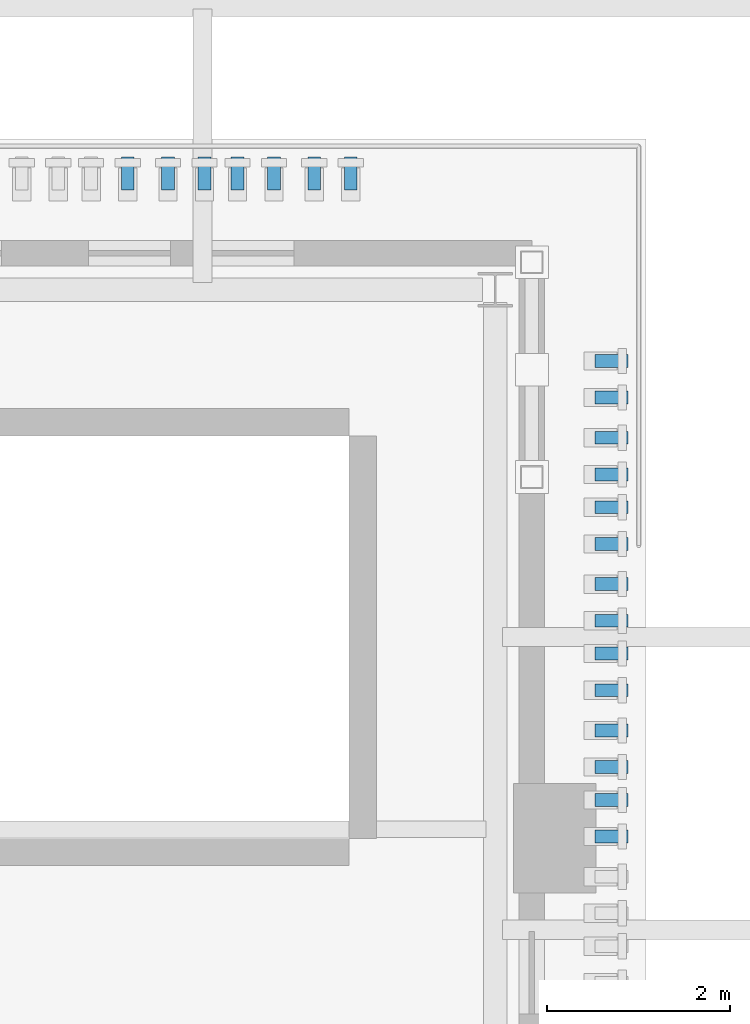
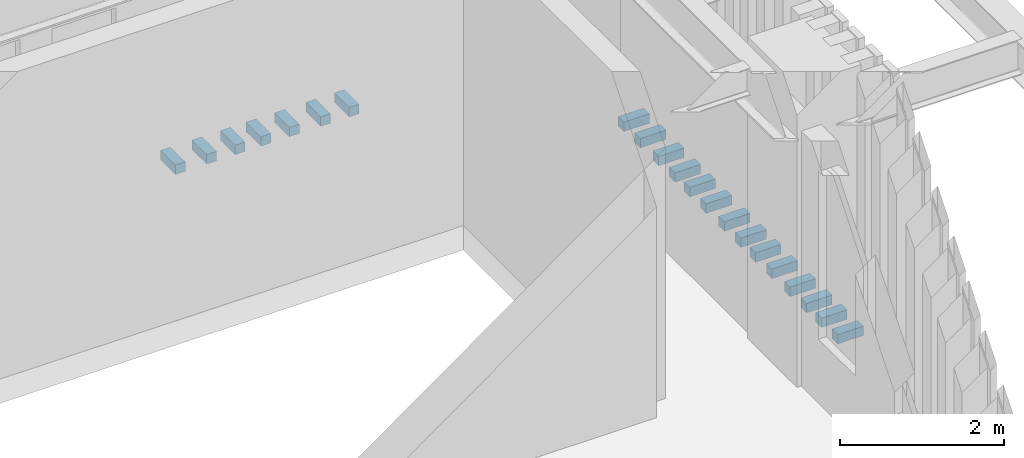
# One storey, part 108 of 126: 21 discrete accessories.
"""IFC4 building model written with IfcOpenShell, lengths in metres."""

from ifc_helpers import new_model, si_unit, derived_unit, direction, frame, origin, origin_2d, place, context, subcontext, project, spatial, rectangle, extrude, material, layer, layer_set, type_object, element, save


model = new_model("IFC4")

# Units and contexts
model_context = context("Model", 3, precision=1e-05, world=origin(), true_north=direction((0.0, 1.0)))
body_context = subcontext(model_context, "Body", "Model", "MODEL_VIEW")
ifc_project = project(units=[si_unit("LENGTHUNIT", "METRE"), si_unit("AREAUNIT", "SQUARE_METRE"), si_unit("VOLUMEUNIT", "CUBIC_METRE"), si_unit("PLANEANGLEUNIT", "RADIAN"), si_unit("MASSUNIT", "GRAM", prefix="KILO"), derived_unit("THERMALTRANSMITTANCEUNIT", [(si_unit("MASSUNIT", "GRAM", prefix="KILO"), 1), (si_unit("TIMEUNIT", "SECOND"), -3), (si_unit("THERMODYNAMICTEMPERATUREUNIT", "KELVIN"), -1)])], contexts=[model_context])

# Site, building, storey
site_placement = place(None, origin())
site = spatial("IfcSite", under=ifc_project, at=site_placement, CompositionType="ELEMENT")
building_placement = place(site_placement, origin())
building = spatial("IfcBuilding", under=site, at=building_placement, Name="Valcora Ridge Arena", CompositionType="ELEMENT")
storey_placement = place(building_placement, frame((0.0, 0.0, 11.39990234375)))
storey = spatial("IfcBuildingStorey", under=building, at=storey_placement, Name="L02", CompositionType="ELEMENT", Elevation=11.39990234375)

# Discrete accessories
ifc_material = material(Name="Austenitic stainless steel Grade 316 fixing bracket", Category="steel")
ifc_layer = layer(ifc_material, 0.139892578125, Name="Austenitic stainless steel Grade 316 fixing bracket")
ifc_layer_set = layer_set([ifc_layer], Name="Austenitic stainless steel Grade 316 fixing bracket")
discrete_accessory_type = type_object("IfcDiscreteAccessoryType", Name="TY-DISCRETEACCESSORY-BRK-FIN-SS", PredefinedType="BRACKET", material=ifc_layer_set)
for number, where, z_axis, x_axis, name in (
    (1, (188.070068359375, 71.820068359375, 0.0), (0.0, 0.0, 1.0), (1.0, 0.0, 0.0), "BRK-FIN-SS ACC-BK-0334"),
    (2, (188.070068359375, 72.219970703125, 0.0), (0.0, 0.0, 1.0), (1.0, 0.0, 0.0), "BRK-FIN-SS ACC-BK-0336"),
    (3, (188.070068359375, 72.580078125, 0.0), (0.0, 0.0, 1.0), (1.0, 0.0, 0.0), "BRK-FIN-SS ACC-BK-0338"),
    (4, (188.070068359375, 72.97998046875, 0.0), (0.0, 0.0, 1.0), (1.0, 0.0, 0.0), "BRK-FIN-SS ACC-BK-0340"),
    (5, (188.070068359375, 73.419921875, 0.0), (0.0, 0.0, 1.0), (1.0, 0.0, 0.0), "BRK-FIN-SS ACC-BK-0342"),
    (6, (188.070068359375, 73.820068359375, 0.0), (0.0, 0.0, 1.0), (1.0, 0.0, 0.0), "BRK-FIN-SS ACC-BK-0344"),
    (7, (188.070068359375, 74.179931640625, 0.0), (0.0, 0.0, 1.0), (1.0, 0.0, 0.0), "BRK-FIN-SS ACC-BK-0346"),
    (8, (188.070068359375, 74.580078125, 0.0), (0.0, 0.0, 1.0), (1.0, 0.0, 0.0), "BRK-FIN-SS ACC-BK-0348"),
    (9, (188.070068359375, 75.02001953125, 0.0), (0.0, 0.0, 1.0), (1.0, 0.0, 0.0), "BRK-FIN-SS ACC-BK-0350"),
    (10, (188.070068359375, 75.419921875, 0.0), (0.0, 0.0, 1.0), (1.0, 0.0, 0.0), "BRK-FIN-SS ACC-BK-0352"),
    (11, (188.070068359375, 75.780029296875, 0.0), (0.0, 0.0, 1.0), (1.0, 0.0, 0.0), "BRK-FIN-SS ACC-BK-0354"),
    (12, (188.070068359375, 76.179931640625, 0.0), (0.0, 0.0, 1.0), (1.0, 0.0, 0.0), "BRK-FIN-SS ACC-BK-0356"),
    (13, (188.070068359375, 76.6201171875, 0.0), (0.0, 0.0, 1.0), (1.0, 0.0, 0.0), "BRK-FIN-SS ACC-BK-0358"),
    (14, (188.070068359375, 77.02001953125, 0.0), (0.0, 0.0, 1.0), (1.0, 0.0, 0.0), "BRK-FIN-SS ACC-BK-0360"),
    (15, (182.780029296875, 79.070068359375, 0.0), (0.0, 0.0, 1.0), (0.0, 1.0, 0.0), "BRK-FIN-SS ACC-BK-0550"),
    (16, (183.219970703125, 79.070068359375, 0.0), (0.0, 0.0, 1.0), (0.0, 1.0, 0.0), "BRK-FIN-SS ACC-BK-0552"),
    (17, (183.6201171875, 79.070068359375, 0.0), (0.0, 0.0, 1.0), (0.0, 1.0, 0.0), "BRK-FIN-SS ACC-BK-0554"),
    (18, (183.97998046875, 79.070068359375, 0.0), (0.0, 0.0, 1.0), (0.0, 1.0, 0.0), "BRK-FIN-SS ACC-BK-0556"),
    (19, (184.3798828125, 79.070068359375, 0.0), (0.0, 0.0, 1.0), (0.0, 1.0, 0.0), "BRK-FIN-SS ACC-BK-0558"),
    (20, (184.820068359375, 79.070068359375, 0.0), (0.0, 0.0, 1.0), (0.0, 1.0, 0.0), "BRK-FIN-SS ACC-BK-0560"),
    (21, (185.219970703125, 79.070068359375, 0.0), (0.0, 0.0, 1.0), (0.0, 1.0, 0.0), "BRK-FIN-SS ACC-BK-0562"),
):
    element("IfcDiscreteAccessory", number, at=place(storey_placement, frame(where, z_axis=z_axis, x_axis=x_axis)), inside=storey, type_object=discrete_accessory_type, Name=name, PredefinedType="BRACKET", context=body_context, shape_type="SweptSolid", body=[
        extrude(rectangle(XDim=0.360107421875, YDim=0.139892578125, at=origin_2d()), origin(), (0.0, 0.0, 1.0), 0.139892578125),
    ])

save(model, "model.ifc")
